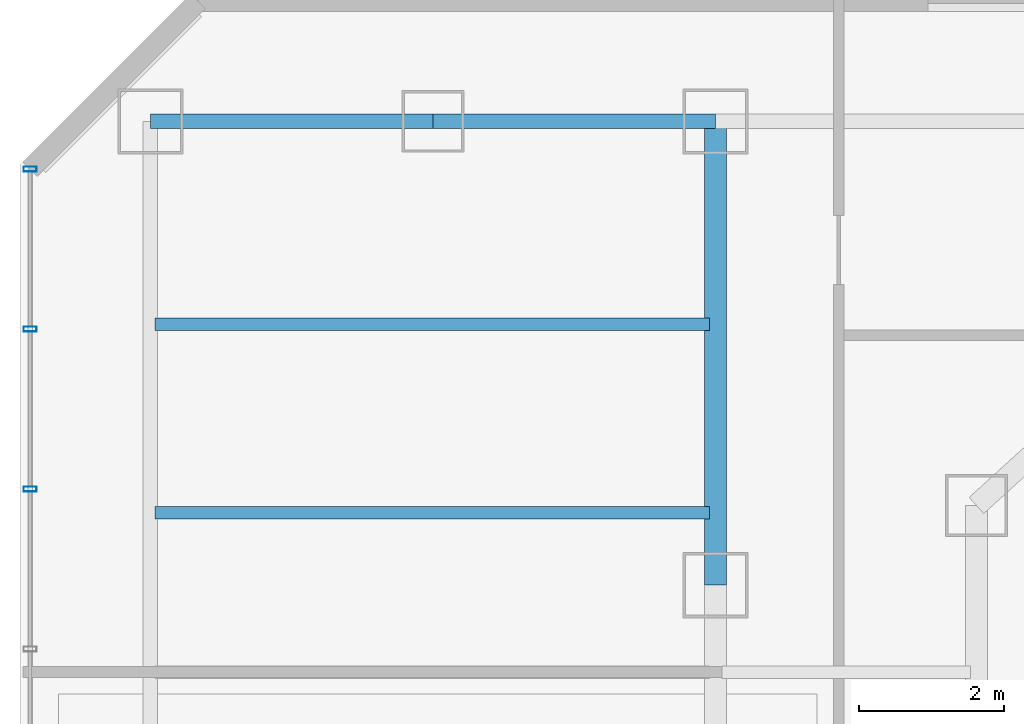
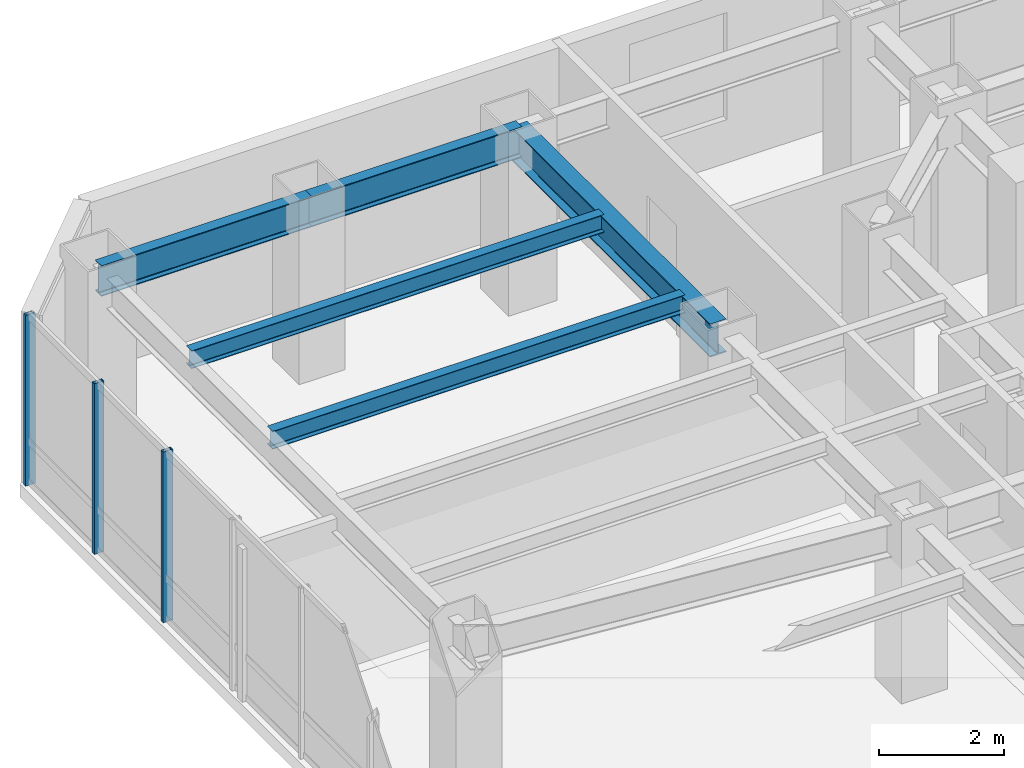
# One storey, part 17 of 29: 5 beams, 3 members, 1 element without a shape of its own.
"""IFC4 building model written with IfcOpenShell, lengths in metres."""

from ifc_helpers import new_model, si_unit, direction, frame, origin, origin_2d, place, context, subcontext, project, spatial, hollow_rectangle, i_section, extrude, material, layer, layer_set, material_profile, profile_set, type_object, element, aggregate, save


model = new_model("IFC4")

# Units and contexts
model_context = context("Model", 3, precision=1e-05, world=origin(), true_north=direction((0.0, 1.0)))
body_context = subcontext(model_context, "Body", "Model", "MODEL_VIEW")
ifc_project = project(units=[si_unit("LENGTHUNIT", "METRE"), si_unit("AREAUNIT", "SQUARE_METRE"), si_unit("VOLUMEUNIT", "CUBIC_METRE"), si_unit("PLANEANGLEUNIT", "RADIAN"), si_unit("MASSUNIT", "GRAM", prefix="KILO")], contexts=[model_context])

# Site, building, storey
site_placement = place(None, origin())
site = spatial("IfcSite", under=ifc_project, at=site_placement, CompositionType="ELEMENT")
building_placement = place(site_placement, origin())
building = spatial("IfcBuilding", under=site, at=building_placement, Name="Hatsunagi Terrace Concourse", CompositionType="ELEMENT")
storey_placement = place(building_placement, frame((0.0, 0.0, 108.449951171875)))
storey = spatial("IfcBuildingStorey", under=building, at=storey_placement, Name="L28", CompositionType="ELEMENT", Elevation=108.449951171875)

# Curtain wall, members
ifc_material_1 = material(Name="Anodised Aluminium Alloy 6063-T5", Category="aluminium")
ifc_layer = layer(ifc_material_1, 0.199951171875)
ifc_layer_set = layer_set([ifc_layer], Name="OfficeZone1_CW03")
curtain_wall_type = type_object("IfcCurtainWallType", Name="OfficeZone1_CW03", PredefinedType="NOTDEFINED", material=ifc_layer_set)
curtain_wall_placement = place(storey_placement, origin())
curtain_wall = element("IfcCurtainWall", 1, at=curtain_wall_placement, inside=storey, type_object=curtain_wall_type, Name="Unitised Curtain Wall CW-03 CW-L28-09", PredefinedType="NOTDEFINED")
ifc_material_2 = material(Name="Anodised Aluminium Alloy 6063-T5", Category="aluminium")
ifc_material_profile_1 = material_profile(ifc_material_2, hollow_rectangle(XDim=0.070068359375, YDim=0.179931640625, WallThickness=0.00390625, at=origin_2d()), Name="ALU-MUL-180x70x4")
ifc_profile_set_1 = profile_set([ifc_material_profile_1], Name="Anodised Aluminium Alloy 6063-T5")
member_type = type_object("IfcMemberType", Name="CurtainWallMullion_180x70", PredefinedType="MULLION", material=ifc_profile_set_1)
member_1_placement = place(storey_placement, frame((9.739990234375, 43.52490234375, 0.0), z_axis=(0.0, 0.0, 1.0), x_axis=(0.0, 1.0, 0.0)))
member_1 = element("IfcMember", 2, at=member_1_placement, type_object=member_type, Name="Curtain Wall Mullion MUL-02", PredefinedType="MULLION", context=body_context, shape_type="SweptSolid", body=[
    extrude(hollow_rectangle(XDim=0.070068359375, YDim=0.179931640625, WallThickness=0.00390625, at=origin_2d()), origin(), (0.0, 0.0, 1.0), 3.35009765625),
])
member_2_placement = place(storey_placement, frame((9.739990234375, 45.73388671875, 0.0), z_axis=(0.0, 0.0, 1.0), x_axis=(0.0, 1.0, 0.0)))
member_2 = element("IfcMember", 3, at=member_2_placement, type_object=member_type, Name="Curtain Wall Mullion MUL-02", PredefinedType="MULLION", context=body_context, shape_type="SweptSolid", body=[
    extrude(hollow_rectangle(XDim=0.070068359375, YDim=0.179931640625, WallThickness=0.00390625, at=origin_2d()), origin(), (0.0, 0.0, 1.0), 3.35009765625),
])
member_3_placement = place(storey_placement, frame((9.739990234375, 47.94189453125, 0.0), z_axis=(0.0, 0.0, 1.0), x_axis=(0.0, 1.0, 0.0)))
member_3 = element("IfcMember", 4, at=member_3_placement, type_object=member_type, Name="Curtain Wall Mullion MUL-02", PredefinedType="MULLION", context=body_context, shape_type="SweptSolid", body=[
    extrude(hollow_rectangle(XDim=0.070068359375, YDim=0.179931640625, WallThickness=0.00390625, at=origin_2d()), origin(), (0.0, 0.0, 1.0), 3.35009765625),
])
aggregate(curtain_wall, [member_1, member_2, member_3])

# Beams
ifc_material_3 = material(Name="Steel SN490B", Category="steel")
ifc_material_profile_2 = material_profile(ifc_material_3, i_section(OverallWidth=0.175048828125, OverallDepth=0.35009765625, WebThickness=0.007080078125, FlangeThickness=0.010986328125, FilletRadius=0.012939453125, at=origin_2d()), Name="H-350x175x7x11")
ifc_profile_set_2 = profile_set([ifc_material_profile_2], Name="Steel SN490B")
beam_type_1 = type_object("IfcBeamType", Name="HotelJoist_H_350x175", PredefinedType="JOIST", material=ifc_profile_set_2)
for number, where, z_axis, x_axis, name in (
    (5, (11.465087890625, 43.199951171875, 3.175048828125), (1.0, 0.0, 0.0), (0.0, 1.0, 0.0), "Beam J-02 J-L28-W-11-432"),
    (6, (11.465087890625, 45.800048828125, 3.175048828125), (1.0, 0.0, 0.0), (0.0, 1.0, 0.0), "Beam J-02 J-L28-W-11-458"),
):
    element("IfcBeam", number, at=place(storey_placement, frame(where, z_axis=z_axis, x_axis=x_axis)), inside=storey, type_object=beam_type_1, Name=name, PredefinedType="JOIST", context=body_context, shape_type="SweptSolid", body=[
        extrude(i_section(OverallWidth=0.175048828125, OverallDepth=0.35009765625, WebThickness=0.007080078125, FlangeThickness=0.010986328125, FilletRadius=0.012939453125, at=origin_2d()), origin(), (0.0, 0.0, 1.0), 7.64990234375),
    ])
ifc_material_4 = material(Name="Steel SN490B", Category="steel")
ifc_material_profile_3 = material_profile(ifc_material_4, i_section(OverallWidth=0.300048828125, OverallDepth=0.64990234375, WebThickness=0.012939453125, FlangeThickness=0.02197265625, FilletRadius=0.01806640625, at=origin_2d()), Name="H-650x300x13x22")
ifc_profile_set_3 = profile_set([ifc_material_profile_3], Name="Steel SN490B")
beam_type_2 = type_object("IfcBeamType", Name="OfficeLowGirder_H_650x300", PredefinedType="BEAM", material=ifc_profile_set_3)
beam_1_placement = place(storey_placement, frame((19.199951171875, 42.199951171875, 3.025146484375), z_axis=(0.0, 1.0, 0.0), x_axis=(-1.0, 0.0, 0.0)))
element("IfcBeam", 7, at=beam_1_placement, inside=storey, type_object=beam_type_2, Name="Beam G-05 BM-L28-NS-19-42", PredefinedType="BEAM", context=body_context, shape_type="SweptSolid", body=[
    extrude(i_section(OverallWidth=0.300048828125, OverallDepth=0.64990234375, WebThickness=0.012939453125, FlangeThickness=0.02197265625, FilletRadius=0.01806640625, at=origin_2d()), origin(), (0.0, 0.0, 1.0), 6.400146484375),
])
ifc_material_5 = material(Name="Steel SN490B", Category="steel")
ifc_material_profile_4 = material_profile(ifc_material_5, i_section(OverallWidth=0.199951171875, OverallDepth=0.60009765625, WebThickness=0.010986328125, FlangeThickness=0.01708984375, FilletRadius=0.01806640625, at=origin_2d()), Name="H-600x200x11x17")
ifc_profile_set_4 = profile_set([ifc_material_profile_4], Name="Steel SN490B")
beam_type_3 = type_object("IfcBeamType", Name="PerimeterSpandrel_H_600x200", PredefinedType="SPANDREL", material=ifc_profile_set_4)
beam_2_placement = place(storey_placement, frame((11.39990234375, 48.60009765625, 3.050048828125), z_axis=(1.0, 0.0, 0.0), x_axis=(0.0, 1.0, 0.0)))
element("IfcBeam", 8, at=beam_2_placement, inside=storey, type_object=beam_type_3, Name="Beam SP-01 BM-L28-WN-11", PredefinedType="SPANDREL", context=body_context, shape_type="SweptSolid", body=[
    extrude(i_section(OverallWidth=0.199951171875, OverallDepth=0.60009765625, WebThickness=0.010986328125, FlangeThickness=0.01708984375, FilletRadius=0.01806640625, at=origin_2d()), origin(), (0.0, 0.0, 1.0), 3.900146484375),
])
beam_3_placement = place(storey_placement, frame((15.300048828125, 48.60009765625, 3.050048828125), z_axis=(1.0, 0.0, 0.0), x_axis=(0.0, 1.0, 0.0)))
element("IfcBeam", 9, at=beam_3_placement, inside=storey, type_object=beam_type_3, Name="Beam SP-01 BM-L28-WN-15", PredefinedType="SPANDREL", context=body_context, shape_type="SweptSolid", body=[
    extrude(i_section(OverallWidth=0.199951171875, OverallDepth=0.60009765625, WebThickness=0.010986328125, FlangeThickness=0.01708984375, FilletRadius=0.01806640625, at=origin_2d()), origin(), (0.0, 0.0, 1.0), 3.89990234375),
])

save(model, "model.ifc")
